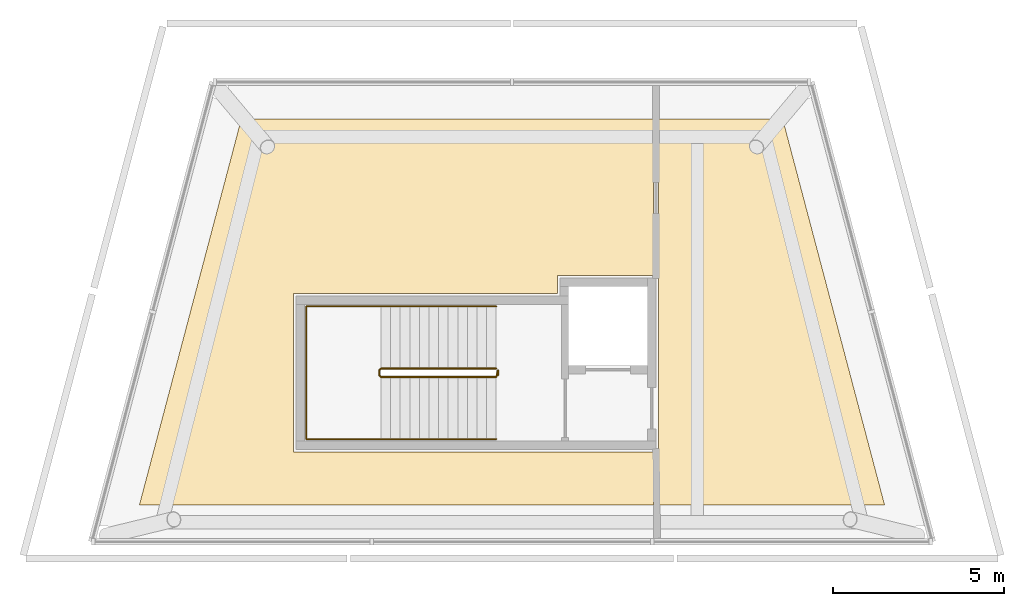
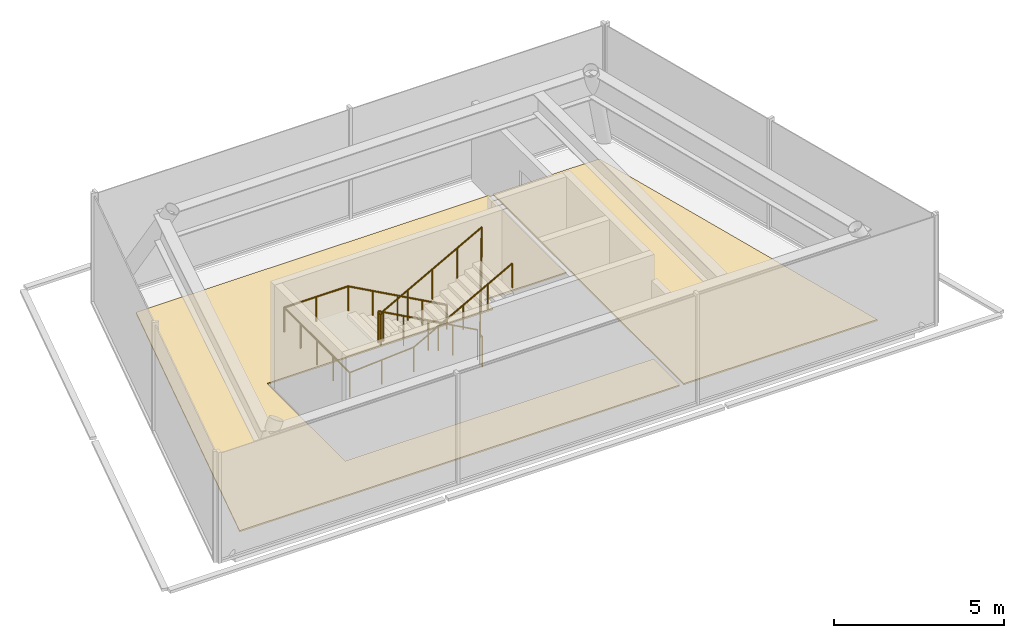
# One storey, part 3 of 3: 2 coverings, 2 railings.
"""IFC4 building model written with IfcOpenShell, lengths in metres."""

import ifcopenshell
import ifcopenshell.guid

model = None  # the IFC model being written
_history = None  # IfcOwnerHistory: only IFC2X3 demands one
_inside = {}  # id of a spatial element -> (the spatial element, [elements in it])
_under = {}  # id of a project, library or spatial element -> (it, [spatial elements below it])
_declared = {}  # id of a project -> (the project, [libraries it declares])
_typed = {}  # id of a type object -> (the type object, [elements of that type])
_made_of = {}  # id of a material, layer set ... -> (it, [elements and type objects made of it])


def new_model(schema):
    """Start an empty IFC model of exactly this schema.

    Asked for "IFC4X3", IfcOpenShell would pick the latest addendum, in which some entities
    have other attributes; the version numbers below select the first issue.
    IFC2X3 requires an IfcOwnerHistory on every rooted entity: one is made here for all.
    """
    global model, _history
    if schema == "IFC4X3":
        model = ifcopenshell.file(schema_version=(4, 3, 0, 0))
    else:
        model = ifcopenshell.file(schema=schema)
    _inside.clear()
    _under.clear()
    _declared.clear()
    _typed.clear()
    _made_of.clear()
    _history = None
    if model.schema == "IFC2X3":
        org = make("IfcOrganization", Name="unknown")
        user = make(
            "IfcPersonAndOrganization",
            ThePerson=make("IfcPerson", FamilyName="unknown"),
            TheOrganization=org,
        )
        app = make(
            "IfcApplication",
            ApplicationDeveloper=org,
            Version="unknown",
            ApplicationFullName="unknown",
            ApplicationIdentifier="unknown",
        )
        _history = make(
            "IfcOwnerHistory",
            OwningUser=user,
            OwningApplication=app,
            ChangeAction="ADDED",
            CreationDate=0,
        )
    return model


def make(cls, **values):
    """One entity of the class cls with the attributes given. An attribute that is None is left unset."""
    return model.create_entity(
        cls, **{name: value for name, value in values.items() if value is not None}
    )


def rooted(cls, **values):
    """An entity with a GlobalId (a new one), such as an element, a storey or a relation."""
    return make(cls, GlobalId=ifcopenshell.guid.new(), OwnerHistory=_history, **values)


def si_unit(unit_type, name, prefix=None):
    """IfcSIUnit, for example si_unit("LENGTHUNIT", "METRE", prefix="MILLI")."""
    return make("IfcSIUnit", UnitType=unit_type, Prefix=prefix, Name=name)


def assignment(units):
    """IfcUnitAssignment: the units of a project."""
    return None if units is None else make("IfcUnitAssignment", Units=units)


def point(xyz):
    """IfcCartesianPoint."""
    return None if xyz is None else make("IfcCartesianPoint", Coordinates=xyz)


def direction(xyz):
    """IfcDirection."""
    return None if xyz is None else make("IfcDirection", DirectionRatios=xyz)


def frame(location, z_axis=None, x_axis=None):
    """IfcAxis2Placement3D, a coordinate frame: its origin and axes. An axis left out is left unset."""
    return make(
        "IfcAxis2Placement3D",
        Location=point(location),
        Axis=direction(z_axis),
        RefDirection=direction(x_axis),
    )


def frame_2d(location, x_axis=None):
    """IfcAxis2Placement2D, a coordinate frame in the plane: its origin and x axis."""
    return make(
        "IfcAxis2Placement2D", Location=point(location), RefDirection=direction(x_axis)
    )


def origin():
    """The frame at (0, 0, 0) with its axes left unset."""
    return frame((0.0, 0.0, 0.0))


def origin_2d():
    """The frame at (0, 0) in the plane with its x axis left unset."""
    return frame_2d((0.0, 0.0))


def place(relative_to, where):
    """IfcLocalPlacement: puts the frame where relative to a parent placement (None: the world)."""
    return make(
        "IfcLocalPlacement", PlacementRelTo=relative_to, RelativePlacement=where
    )


def context(
    kind, dimensions, precision=None, world=None, true_north=None, identifier=None
):
    """IfcGeometricRepresentationContext, for example the 3D "Model" context."""
    return make(
        "IfcGeometricRepresentationContext",
        ContextIdentifier=identifier,
        ContextType=kind,
        CoordinateSpaceDimension=dimensions,
        Precision=precision,
        WorldCoordinateSystem=world,
        TrueNorth=true_north,
    )


def subcontext(parent, identifier, kind, view, scale=None):
    """IfcGeometricRepresentationSubContext, for example "Body" below "Model"."""
    return make(
        "IfcGeometricRepresentationSubContext",
        ContextIdentifier=identifier,
        ContextType=kind,
        ParentContext=parent,
        TargetScale=scale,
        TargetView=view,
    )


def project(units=None, contexts=None):
    """IfcProject with its units and contexts."""
    return rooted(
        "IfcProject",
        Name="project",
        RepresentationContexts=contexts,
        UnitsInContext=assignment(units),
    )


def spatial(cls, under=None, at=None, **own):
    """A site, building, storey or space (cls), placed at a placement, below another one or the project."""
    s = rooted(cls, ObjectPlacement=at, **own)
    if under is not None:
        _under.setdefault(under.id(), (under, []))[1].append(s)
    return s


def polyline(points):
    """IfcPolyline through the points."""
    return make("IfcPolyline", Points=[point(p) for p in points])


def profile(cls, at=None, kind="AREA", **sizes):
    """A parametric profile (cls). Its sizes go by their IFC names, for example OverallWidth=200.0."""
    return make(cls, ProfileType=kind, Position=at, **sizes)


def circle(**sizes):
    """IfcCircleProfileDef."""
    return profile("IfcCircleProfileDef", **sizes)


def outline(outer, holes=None, kind="AREA"):
    """IfcArbitraryClosedProfileDef: a profile drawn as a closed curve; with holes, ...WithVoids."""
    if holes is None:
        return make("IfcArbitraryClosedProfileDef", ProfileType=kind, OuterCurve=outer)
    return make(
        "IfcArbitraryProfileDefWithVoids",
        ProfileType=kind,
        OuterCurve=outer,
        InnerCurves=holes,
    )


def extrude(swept, where, along, depth):
    """IfcExtrudedAreaSolid: the profile swept, set in the frame where, extruded along a direction by depth."""
    return make(
        "IfcExtrudedAreaSolid",
        SweptArea=swept,
        Position=where,
        ExtrudedDirection=direction(along),
        Depth=depth,
    )


def shape(context_of_items, identifier, shape_type, items):
    """IfcShapeRepresentation: the items that make up one representation, for example the "Body"."""
    return make(
        "IfcShapeRepresentation",
        ContextOfItems=context_of_items,
        RepresentationIdentifier=identifier,
        RepresentationType=shape_type,
        Items=items,
    )


def material(Name=None, Category=None):
    """IfcMaterial."""
    return make("IfcMaterial", Name=Name, Category=Category)


def layer(
    of_material, thickness, ventilated=None, Name=None, Category=None, Priority=None
):
    """IfcMaterialLayer: one layer of a wall or slab, of a material (None: an air gap)."""
    return make(
        "IfcMaterialLayer",
        Material=of_material,
        LayerThickness=thickness,
        IsVentilated=ventilated,
        Name=Name,
        Category=Category,
        Priority=Priority,
    )


def layer_set(layers, Name=None):
    """IfcMaterialLayerSet."""
    return make("IfcMaterialLayerSet", MaterialLayers=layers, LayerSetName=Name)


def made_of(thing, what):
    """Note that an element or type object is made of a material, layer set ...; save() writes the relation."""
    if what is not None:
        _made_of.setdefault(what.id(), (what, []))[1].append(thing)
    return thing


def type_object(cls, material=None, **own):
    """A type object (cls), such as IfcWallType, which elements share."""
    return made_of(rooted(cls, **own), material)


def element(
    cls,
    number,
    at=None,
    inside=None,
    cuts=None,
    type_object=None,
    material=None,
    context=None,
    identifier="Body",
    shape_type=None,
    held_by="IfcProductDefinitionShape",
    body=None,
    shapes=None,
    **own,
):
    """One element of the class cls, such as IfcWall. Its Tag is "e" and its number.

    at: its placement. inside: the storey or other place that contains it. cuts: it is an
    opening in that element (IfcRelVoidsElement). A single representation is given by context,
    identifier, shape_type and body (its items); several are given by shapes. held_by: the class
    of the entity that holds the representations. save() writes the other relations.
    """
    e = rooted(cls, Tag="e%d" % number, ObjectPlacement=at, **own)
    if body is not None:
        shapes = [shape(context, identifier, shape_type, body)]
    if shapes is not None:
        e.Representation = make(held_by, Representations=shapes)
    if inside is not None:
        _inside.setdefault(inside.id(), (inside, []))[1].append(e)
    if cuts is not None:
        rooted(
            "IfcRelVoidsElement", RelatingBuildingElement=cuts, RelatedOpeningElement=e
        )
    if type_object is not None:
        _typed.setdefault(type_object.id(), (type_object, []))[1].append(e)
    return made_of(e, material)


def aggregate(whole, parts):
    """IfcRelAggregates: a whole, such as a stair, and the parts it consists of."""
    return rooted("IfcRelAggregates", RelatingObject=whole, RelatedObjects=parts)


def save(model, path):
    """Write the relations noted so far, then the file.

    IfcRelAggregates (storeys below a building ...), IfcRelContainedInSpatialStructure (elements
    in a storey), IfcRelDefinesByType, IfcRelAssociatesMaterial and IfcRelDeclares: one each for
    every whole, place, type object, material and project.
    """
    for whole, parts in _under.values():
        aggregate(whole, parts)
    for where, things in _inside.values():
        rooted(
            "IfcRelContainedInSpatialStructure",
            RelatedElements=things,
            RelatingStructure=where,
        )
    for kind, things in _typed.values():
        rooted("IfcRelDefinesByType", RelatedObjects=things, RelatingType=kind)
    for what, things in _made_of.values():
        rooted("IfcRelAssociatesMaterial", RelatedObjects=things, RelatingMaterial=what)
    for by, libraries in _declared.values():
        rooted("IfcRelDeclares", RelatingContext=by, RelatedDefinitions=libraries)
    model.write(path)


model = new_model("IFC4")

# Units and contexts
model_context = context("Model", 3, precision=1e-05, world=origin(), true_north=direction((0.0, 1.0)))
body_context = subcontext(model_context, "Body", "Model", "MODEL_VIEW")
ifc_project = project(units=[si_unit("LENGTHUNIT", "METRE"), si_unit("AREAUNIT", "SQUARE_METRE"), si_unit("VOLUMEUNIT", "CUBIC_METRE"), si_unit("PLANEANGLEUNIT", "RADIAN"), si_unit("MASSUNIT", "GRAM", prefix="KILO")], contexts=[model_context])

# Site, building, storey
site_placement = place(None, origin())
site = spatial("IfcSite", under=ifc_project, at=site_placement, CompositionType="ELEMENT")
building_placement = place(site_placement, origin())
building = spatial("IfcBuilding", under=site, at=building_placement, Name="Quipu Civic Tower", CompositionType="ELEMENT")
storey_placement = place(building_placement, frame((0.0, 0.0, 380.0)))
storey = spatial("IfcBuildingStorey", under=building, at=storey_placement, Name="L88", CompositionType="ELEMENT", Elevation=380.0)

# Coverings
ifc_material_1 = material(Name="Sealed cement screed")
ifc_layer = layer(ifc_material_1, 0.050048828125)
ifc_layer_set = layer_set([ifc_layer], Name="Sealed cement screed")
covering_type = type_object("IfcCoveringType", Name="Sealed screed floor finish 50", PredefinedType="FLOORING", material=ifc_layer_set)
covering_1_placement = place(storey_placement, origin())
element("IfcCovering", 1, at=covering_1_placement, inside=storey, type_object=covering_type, Name="Sealed screed floor finish 50", PredefinedType="FLOORING", context=body_context, shape_type="SweptSolid", body=[
    extrude(outline(polyline([(4.27001953125, 3.18994140625), (7.889892578125, 3.18994140625), (10.863037109375, -8.070068359375), (4.27001953125, -8.070068359375), (4.27001953125, 3.18994140625)])), origin(), (0.0, 0.0, 1.0), 0.050048828125),
])
covering_2_placement = place(storey_placement, origin())
element("IfcCovering", 2, at=covering_2_placement, inside=storey, type_object=covering_type, Name="Sealed screed floor finish 50", PredefinedType="FLOORING", context=body_context, shape_type="SweptSolid", body=[
    extrude(outline(polyline([(-7.889892578125, 3.18994140625), (4.1298828125, 3.18994140625), (4.1298828125, -1.3798828125), (1.330078125, -1.3798828125), (1.330078125, -1.909912109375), (-6.3701171875, -1.909912109375), (-6.3701171875, -6.52001953125), (4.1298828125, -6.52001953125), (4.1298828125, -8.070068359375), (-10.863037109375, -8.070068359375), (-7.889892578125, 3.18994140625)])), origin(), (0.0, 0.0, 1.0), 0.050048828125),
])

# Railings
ifc_material_2 = material(Name="Stainless steel", Category="steel")
railing_type_1 = type_object("IfcRailingType", Name="Stair guard 1100", PredefinedType="GUARDRAIL", material=ifc_material_2)
railing_1_placement = place(storey_placement, frame((-0.4599609375, -4.090087890625, 0.15380859375)))
element("IfcRailing", 3, at=railing_1_placement, inside=storey, type_object=railing_type_1, Name="Stair 5 guard", PredefinedType="GUARDRAIL", context=body_context, shape_type="SweptSolid", body=[
    extrude(circle(Radius=0.02392578125, at=origin_2d()), frame((0.0, 0.0, 1.076171875), z_axis=(-0.876421534553, 0.0, 0.481544695509), x_axis=(0.0, -1.0, 0.0)), (0.0, 0.0, 1.0), 3.833984375),
    extrude(circle(Radius=0.02392578125, at=origin_2d()), frame((-3.360107421875, 0.0, 2.92236328125), z_axis=(-0.708833529934, -0.705375805398, 0.0), x_axis=(0.705375805398, -0.708833529934, 0.0)), (0.0, 0.0, 1.0), 0.070556640625),
    extrude(circle(Radius=0.02392578125, at=origin_2d()), frame((-3.41015625, -0.0498046875, 2.92236328125), z_axis=(0.0, -1.0, 0.0), x_axis=(1.0, 0.0, 0.0)), (0.0, 0.0, 1.0), 0.150146484375),
    extrude(circle(Radius=0.02392578125, at=origin_2d()), frame((-3.41015625, -0.199951171875, 2.92236328125), z_axis=(0.295599637079, -0.295599637079, 0.908428152975), x_axis=(0.707106781187, 0.707106781187, 0.0)), (0.0, 0.0, 1.0), 0.16943359375),
    extrude(circle(Radius=0.02392578125, at=origin_2d()), frame((-3.360107421875, -0.25, 3.076171875), z_axis=(0.876421534553, 0.0, 0.481544695509), x_axis=(0.0, 1.0, 0.0)), (0.0, 0.0, 1.0), 3.833984375),
    extrude(circle(Radius=0.02392578125, at=origin_2d()), frame((0.0, -0.25, 4.92236328125), z_axis=(0.012495589946, 0.049982359782, -0.998671930086), x_axis=(-0.970142500145, 0.242535625036, 0.0)), (0.0, 0.0, 1.0), 4.00537109375),
    extrude(circle(Radius=0.02392578125, at=origin_2d()), frame((0.050048828125, -0.0498046875, 0.92236328125), z_axis=(0.0, -1.0, 0.0), x_axis=(1.0, 0.0, 0.0)), (0.0, 0.0, 1.0), 0.150146484375),
    extrude(circle(Radius=0.02099609375, at=origin_2d()), origin(), (0.0, 0.0, 1.0), 1.052001953125),
    extrude(circle(Radius=0.02099609375, at=origin_2d()), frame((-0.840087890625, 0.0, 0.46142578125)), (0.0, 0.0, 1.0), 1.052001953125),
    extrude(circle(Radius=0.02099609375, at=origin_2d()), frame((-1.68017578125, 0.0, 0.923095703125)), (0.0, 0.0, 1.0), 1.052001953125),
    extrude(circle(Radius=0.02099609375, at=origin_2d()), frame((-2.52001953125, 0.0, 1.384765625)), (0.0, 0.0, 1.0), 1.052001953125),
    extrude(circle(Radius=0.02099609375, at=origin_2d()), frame((-3.360107421875, 0.0, 1.84619140625)), (0.0, 0.0, 1.0), 1.052001953125),
    extrude(circle(Radius=0.02099609375, at=origin_2d()), frame((-3.41015625, -0.0498046875, 1.84619140625)), (0.0, 0.0, 1.0), 1.052001953125),
    extrude(circle(Radius=0.02099609375, at=origin_2d()), frame((-3.41015625, -0.199951171875, 1.84619140625)), (0.0, 0.0, 1.0), 1.052001953125),
    extrude(circle(Radius=0.02099609375, at=origin_2d()), frame((-3.360107421875, -0.25, 2.0)), (0.0, 0.0, 1.0), 1.052001953125),
    extrude(circle(Radius=0.02099609375, at=origin_2d()), frame((-2.52001953125, -0.25, 2.46142578125)), (0.0, 0.0, 1.0), 1.052001953125),
    extrude(circle(Radius=0.02099609375, at=origin_2d()), frame((-1.68017578125, -0.25, 2.923095703125)), (0.0, 0.0, 1.0), 1.052001953125),
    extrude(circle(Radius=0.02099609375, at=origin_2d()), frame((-0.840087890625, -0.25, 3.384765625)), (0.0, 0.0, 1.0), 1.052001953125),
    extrude(circle(Radius=0.02099609375, at=origin_2d()), frame((0.0, -0.25, 3.84619140625)), (0.0, 0.0, 1.0), 1.052001953125),
    extrude(circle(Radius=0.02099609375, at=origin_2d()), frame((0.012451171875, -0.199951171875, 2.84619140625)), (0.0, 0.0, 1.0), 1.052001953125),
    extrude(circle(Radius=0.02099609375, at=origin_2d()), frame((0.02490234375, -0.14990234375, 1.84619140625)), (0.0, 0.0, 1.0), 1.052001953125),
    extrude(circle(Radius=0.02099609375, at=origin_2d()), frame((0.03759765625, -0.099853515625, 0.84619140625)), (0.0, 0.0, 1.0), 1.052001953125),
    extrude(circle(Radius=0.02099609375, at=origin_2d()), frame((0.050048828125, -0.0498046875, -0.15380859375)), (0.0, 0.0, 1.0), 1.052001953125),
    extrude(circle(Radius=0.02099609375, at=origin_2d()), frame((0.050048828125, -0.199951171875, -0.15380859375)), (0.0, 0.0, 1.0), 1.052001953125),
])
ifc_material_3 = material(Name="Stainless steel", Category="steel")
railing_type_2 = type_object("IfcRailingType", Name="Stair handrail", PredefinedType="HANDRAIL", material=ifc_material_3)
railing_2_placement = place(storey_placement, frame((-0.4599609375, -2.280029296875, 0.15380859375)))
element("IfcRailing", 4, at=railing_2_placement, inside=storey, type_object=railing_type_2, Name="Stair 5 handrail", PredefinedType="HANDRAIL", context=body_context, shape_type="SweptSolid", body=[
    extrude(circle(Radius=0.02392578125, at=origin_2d()), frame((0.0, 0.0, 0.8759765625), z_axis=(-0.876421534553, 0.0, 0.481544695509), x_axis=(0.0, -1.0, 0.0)), (0.0, 0.0, 1.0), 3.833984375),
    extrude(circle(Radius=0.02392578125, at=origin_2d()), frame((-3.360107421875, 0.0, 2.72216796875), z_axis=(-1.0, 0.0, 0.0), x_axis=(0.0, -1.0, 0.0)), (0.0, 0.0, 1.0), 2.179931640625),
    extrude(circle(Radius=0.02392578125, at=origin_2d()), frame((-5.5400390625, 0.0, 2.72216796875), z_axis=(0.0, -1.0, 0.0), x_axis=(1.0, 0.0, 0.0)), (0.0, 0.0, 1.0), 3.869873046875),
    extrude(circle(Radius=0.02392578125, at=origin_2d()), frame((-5.5400390625, -3.869873046875, 2.72216796875), z_axis=(0.997520137335, 0.0, 0.070381642572), x_axis=(0.0, 1.0, 0.0)), (0.0, 0.0, 1.0), 2.185302734375),
    extrude(circle(Radius=0.02392578125, at=origin_2d()), frame((-3.360107421875, -3.869873046875, 2.8759765625), z_axis=(0.876421534553, 0.0, 0.481544695509), x_axis=(0.0, 1.0, 0.0)), (0.0, 0.0, 1.0), 3.833984375),
    extrude(circle(Radius=0.02099609375, at=origin_2d()), origin(), (0.0, 0.0, 1.0), 0.851806640625),
    extrude(circle(Radius=0.02099609375, at=origin_2d()), frame((-0.840087890625, 0.0, 0.46142578125)), (0.0, 0.0, 1.0), 0.851806640625),
    extrude(circle(Radius=0.02099609375, at=origin_2d()), frame((-1.68017578125, 0.0, 0.923095703125)), (0.0, 0.0, 1.0), 0.851806640625),
    extrude(circle(Radius=0.02099609375, at=origin_2d()), frame((-2.52001953125, 0.0, 1.384765625)), (0.0, 0.0, 1.0), 0.851806640625),
    extrude(circle(Radius=0.02099609375, at=origin_2d()), frame((-3.360107421875, 0.0, 1.84619140625)), (0.0, 0.0, 1.0), 0.851806640625),
    extrude(circle(Radius=0.02099609375, at=origin_2d()), frame((-4.4501953125, 0.0, 1.84619140625)), (0.0, 0.0, 1.0), 0.851806640625),
    extrude(circle(Radius=0.02099609375, at=origin_2d()), frame((-5.5400390625, 0.0, 1.84619140625)), (0.0, 0.0, 1.0), 0.851806640625),
    extrude(circle(Radius=0.02099609375, at=origin_2d()), frame((-5.5400390625, -0.967529296875, 1.84619140625)), (0.0, 0.0, 1.0), 0.851806640625),
    extrude(circle(Radius=0.02099609375, at=origin_2d()), frame((-5.5400390625, -1.93505859375, 1.84619140625)), (0.0, 0.0, 1.0), 0.851806640625),
    extrude(circle(Radius=0.02099609375, at=origin_2d()), frame((-5.5400390625, -2.90234375, 1.84619140625)), (0.0, 0.0, 1.0), 0.851806640625),
    extrude(circle(Radius=0.02099609375, at=origin_2d()), frame((-5.5400390625, -3.869873046875, 1.84619140625)), (0.0, 0.0, 1.0), 0.851806640625),
    extrude(circle(Radius=0.02099609375, at=origin_2d()), frame((-4.4501953125, -3.869873046875, 1.923095703125)), (0.0, 0.0, 1.0), 0.851806640625),
    extrude(circle(Radius=0.02099609375, at=origin_2d()), frame((-3.360107421875, -3.869873046875, 2.0)), (0.0, 0.0, 1.0), 0.851806640625),
    extrude(circle(Radius=0.02099609375, at=origin_2d()), frame((-2.52001953125, -3.869873046875, 2.46142578125)), (0.0, 0.0, 1.0), 0.851806640625),
    extrude(circle(Radius=0.02099609375, at=origin_2d()), frame((-1.68017578125, -3.869873046875, 2.923095703125)), (0.0, 0.0, 1.0), 0.851806640625),
    extrude(circle(Radius=0.02099609375, at=origin_2d()), frame((-0.840087890625, -3.869873046875, 3.384765625)), (0.0, 0.0, 1.0), 0.851806640625),
    extrude(circle(Radius=0.02099609375, at=origin_2d()), frame((0.0, -3.869873046875, 3.84619140625)), (0.0, 0.0, 1.0), 0.851806640625),
])

save(model, "model.ifc")
